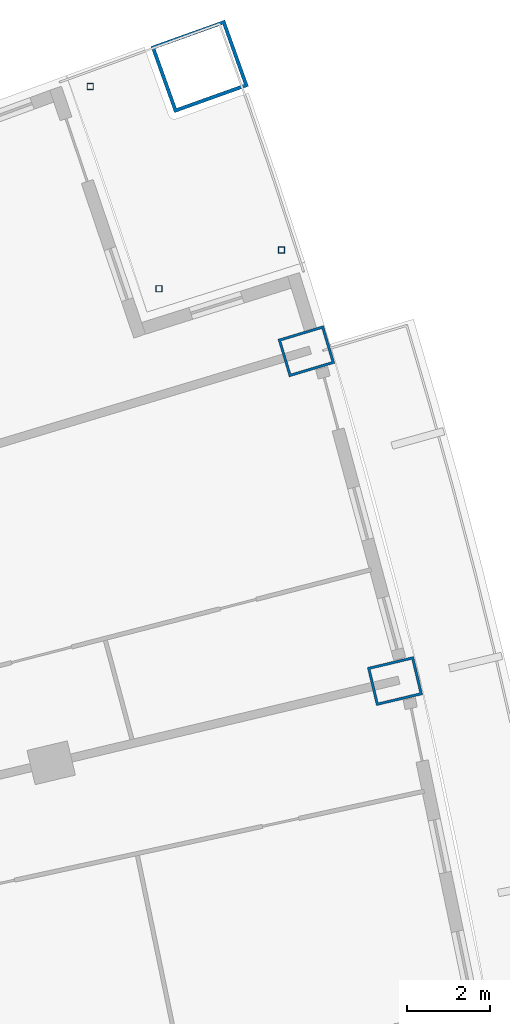
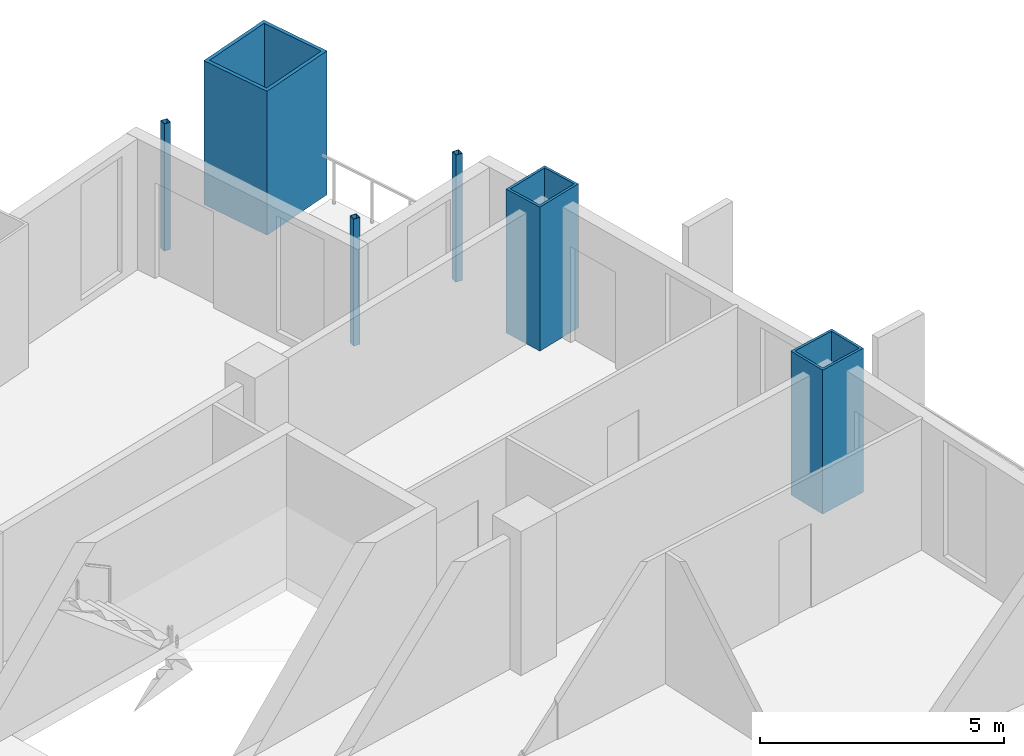
# One storey, part 11 of 24: 6 columns.
"""IFC4 building model written with IfcOpenShell, lengths in metres."""

from ifc_helpers import new_model, si_unit, direction, frame, origin, origin_2d, place, context, subcontext, project, spatial, hollow_rectangle, extrude, material, material_profile, profile_set, type_object, element, save


model = new_model("IFC4")

# Units and contexts
model_context = context("Model", 3, precision=1e-05, world=origin(), true_north=direction((0.0, 1.0)))
body_context = subcontext(model_context, "Body", "Model", "MODEL_VIEW")
ifc_project = project(units=[si_unit("LENGTHUNIT", "METRE"), si_unit("AREAUNIT", "SQUARE_METRE"), si_unit("VOLUMEUNIT", "CUBIC_METRE"), si_unit("PLANEANGLEUNIT", "RADIAN"), si_unit("MASSUNIT", "GRAM", prefix="KILO")], contexts=[model_context])

# Site, building, storey
site_placement = place(None, origin())
site = spatial("IfcSite", under=ifc_project, at=site_placement, CompositionType="ELEMENT")
building_placement = place(site_placement, origin())
building = spatial("IfcBuilding", under=site, at=building_placement, Name="Alderwake Tower", CompositionType="ELEMENT")
storey_placement = place(building_placement, frame((0.0, 0.0, 96.800048828125)))
storey = spatial("IfcBuildingStorey", under=building, at=storey_placement, Name="L23", CompositionType="ELEMENT", Elevation=96.800048828125)

# Columns
ifc_material_1 = material(Name="Steel ASTM A500 Grade C", Category="steel")
ifc_material_profile_1 = material_profile(ifc_material_1, hollow_rectangle(XDim=0.15234375, YDim=0.15234375, WallThickness=0.0087890625, at=origin_2d()), Name="HSS6X6X3/8")
ifc_profile_set_1 = profile_set([ifc_material_profile_1], Name="Steel ASTM A500 Grade C")
column_type_1 = type_object("IfcColumnType", Name="Light post HSS6X6X3/8", PredefinedType="COLUMN", material=ifc_profile_set_1)
for number, where, z_axis, x_axis, name in (
    (1, (54.827392578125, 104.10400390625, 0.0), (0.0, 0.0, 1.0), (1.0, 0.0, 0.0), "Terrace post FN1"),
    (2, (50.209716796875, 108.05126953125, 0.0), (0.0, 0.0, 1.0), (1.0, 0.0, 0.0), "Terrace post FN2"),
    (3, (51.87158203125, 103.16943359375, 0.0), (0.0, 0.0, 1.0), (1.0, 0.0, 0.0), "Terrace post FN3"),
):
    element("IfcColumn", number, at=place(storey_placement, frame(where, z_axis=z_axis, x_axis=x_axis)), inside=storey, type_object=column_type_1, Name=name, PredefinedType="COLUMN", context=body_context, shape_type="SweptSolid", body=[
        extrude(hollow_rectangle(XDim=0.15234375, YDim=0.15234375, WallThickness=0.0087890625, at=origin_2d()), origin(), (0.0, 0.0, 1.0), 3.179931640625),
    ])
ifc_material_2 = material(Name="Steel ASTM A572 Grade 50 concrete filled C70/85", Category="concrete")
ifc_material_profile_2 = material_profile(ifc_material_2, hollow_rectangle(XDim=1.699951171875, YDim=1.89990234375, WallThickness=0.0849609375, at=origin_2d()), Name="BOX 1900X1700X85")
ifc_profile_set_2 = profile_set([ifc_material_profile_2], Name="Steel ASTM A572 Grade 50 concrete filled C70/85")
column_type_2 = type_object("IfcColumnType", Name="Mega column Z2", PredefinedType="COLUMN", material=ifc_profile_set_2)
column_placement = place(storey_placement, frame((52.850830078125, 108.538330078125, 0.0), z_axis=(0.0, 0.0, 1.0), x_axis=(-0.336911216263, 0.941536421152, 0.0)))
element("IfcColumn", 4, at=column_placement, inside=storey, type_object=column_type_2, Name="Column R13-C5", PredefinedType="COLUMN", context=body_context, shape_type="SweptSolid", body=[
    extrude(hollow_rectangle(XDim=1.699951171875, YDim=1.89990234375, WallThickness=0.0849609375, at=origin_2d()), origin(), (0.0, 0.0, 1.0), 3.599853515625),
])
ifc_material_3 = material(Name="Steel ASTM A572 Grade 50 concrete filled C70/85", Category="concrete")
ifc_material_profile_3 = material_profile(ifc_material_3, hollow_rectangle(XDim=0.949951171875, YDim=1.14990234375, WallThickness=0.06005859375, at=origin_2d()), Name="BOX 1150X950X60")
ifc_profile_set_3 = profile_set([ifc_material_profile_3], Name="Steel ASTM A572 Grade 50 concrete filled C70/85")
column_type_3 = type_object("IfcColumnType", Name="Perimeter column Z2", PredefinedType="COLUMN", material=ifc_profile_set_3)
for number, where, z_axis, x_axis, name in (
    (5, (57.568115234375, 93.69482421875, 0.0), (0.0, 0.0, 1.0), (-0.231221547198, 0.972901123502, 0.0), "Column R11-C5"),
    (6, (55.427978515625, 101.659423828125, 0.0), (0.0, 0.0, 1.0), (-0.287549418125, 0.957765802342, 0.0), "Column R12-C5"),
):
    element("IfcColumn", number, at=place(storey_placement, frame(where, z_axis=z_axis, x_axis=x_axis)), inside=storey, type_object=column_type_3, Name=name, PredefinedType="COLUMN", context=body_context, shape_type="SweptSolid", body=[
        extrude(hollow_rectangle(XDim=0.949951171875, YDim=1.14990234375, WallThickness=0.06005859375, at=origin_2d()), origin(), (0.0, 0.0, 1.0), 3.599853515625),
    ])

save(model, "model.ifc")
